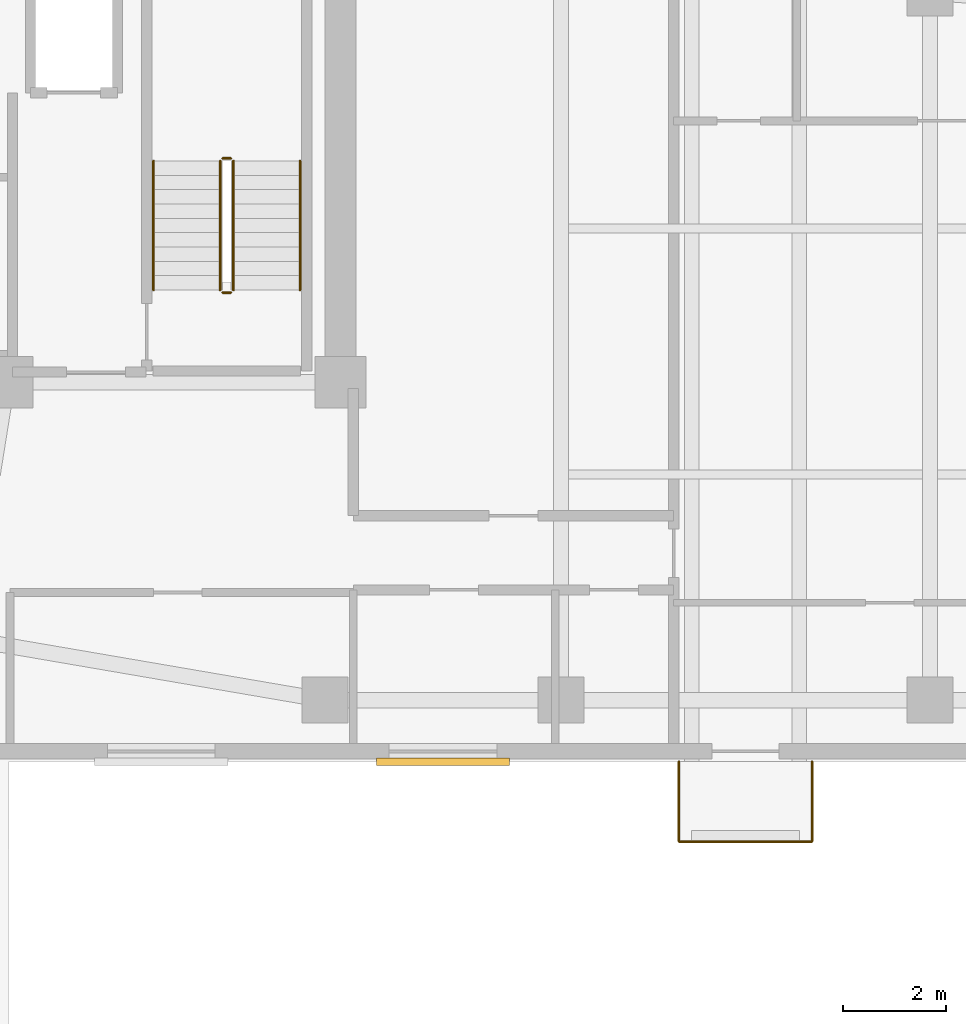
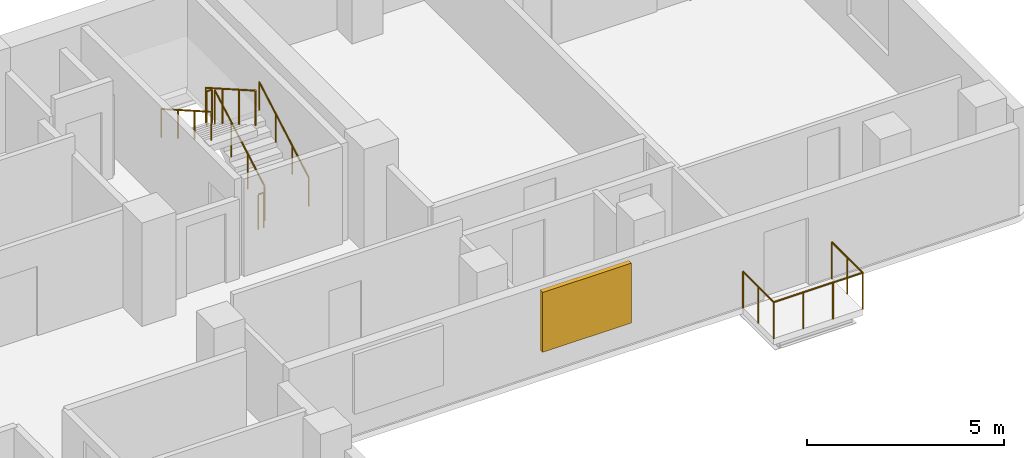
# One storey, part 7 of 7: 9 railings, 1 shading device.
"""IFC4 building model written with IfcOpenShell, lengths in metres."""

from ifc_helpers import new_model, si_unit, direction, frame, origin, origin_2d, place, context, subcontext, project, spatial, rectangle, circle, extrude, material, layer, layer_set, type_object, element, save


model = new_model("IFC4")

# Units and contexts
model_context = context("Model", 3, precision=1e-05, world=origin(), true_north=direction((0.0, 1.0)))
body_context = subcontext(model_context, "Body", "Model", "MODEL_VIEW")
ifc_project = project(units=[si_unit("LENGTHUNIT", "METRE"), si_unit("AREAUNIT", "SQUARE_METRE"), si_unit("VOLUMEUNIT", "CUBIC_METRE"), si_unit("PLANEANGLEUNIT", "RADIAN"), si_unit("MASSUNIT", "GRAM", prefix="KILO")], contexts=[model_context])

# Site, building, storey
site_placement = place(None, origin())
site = spatial("IfcSite", under=ifc_project, at=site_placement, CompositionType="ELEMENT")
building_placement = place(site_placement, origin())
building = spatial("IfcBuilding", under=site, at=building_placement, Name="Kuzgunbayir Cultural Tower", CompositionType="ELEMENT")
storey_placement = place(building_placement, frame((0.0, 0.0, 176.0)))
storey = spatial("IfcBuildingStorey", under=building, at=storey_placement, Name="L51", CompositionType="ELEMENT", Elevation=176.0)

# Railings
ifc_material_1 = material(Name="Laminated Glass and Stainless Steel", Category="steel")
ifc_layer_1 = layer(ifc_material_1, 0.080078125)
ifc_layer_set_1 = layer_set([ifc_layer_1], Name="Laminated Glass and Stainless Steel")
railing_type_1 = type_object("IfcRailingType", Name="RLG-BAL-115", PredefinedType="BALUSTRADE", material=ifc_layer_set_1)
railing_1_placement = place(storey_placement, frame((33.5, 26.39990234375, 0.0)))
element("IfcRailing", 1, at=railing_1_placement, inside=storey, type_object=railing_type_1, Name="L51 Balcony Guard BAL-L51-WB2 Segment 1", PredefinedType="BALUSTRADE", context=body_context, shape_type="SweptSolid", body=[
    extrude(circle(Radius=0.02392578125, at=origin_2d()), frame((0.0, 0.0, 1.1259765625), z_axis=(0.0, -1.0, 0.0), x_axis=(1.0, 0.0, 0.0)), (0.0, 0.0, 1.0), 1.559814453125),
    extrude(circle(Radius=0.02099609375, at=origin_2d()), origin(), (0.0, 0.0, 1.0), 1.101806640625),
    extrude(circle(Radius=0.02099609375, at=origin_2d()), frame((0.0, -0.77978515625, 0.0)), (0.0, 0.0, 1.0), 1.101806640625),
    extrude(circle(Radius=0.02099609375, at=origin_2d()), frame((0.0, -1.559814453125, 0.0)), (0.0, 0.0, 1.0), 1.101806640625),
])
railing_2_placement = place(storey_placement, frame((33.5, 24.840087890625, 0.0)))
element("IfcRailing", 2, at=railing_2_placement, inside=storey, type_object=railing_type_1, Name="L51 Balcony Guard BAL-L51-WB2 Segment 2", PredefinedType="BALUSTRADE", context=body_context, shape_type="SweptSolid", body=[
    extrude(circle(Radius=0.02392578125, at=origin_2d()), frame((0.0, 0.0, 1.1259765625), z_axis=(1.0, 0.0, 0.0), x_axis=(0.0, 1.0, 0.0)), (0.0, 0.0, 1.0), 2.60009765625),
    extrude(circle(Radius=0.02099609375, at=origin_2d()), origin(), (0.0, 0.0, 1.0), 1.101806640625),
    extrude(circle(Radius=0.02099609375, at=origin_2d()), frame((0.86669921875, 0.0, 0.0)), (0.0, 0.0, 1.0), 1.101806640625),
    extrude(circle(Radius=0.02099609375, at=origin_2d()), frame((1.7333984375, 0.0, 0.0)), (0.0, 0.0, 1.0), 1.101806640625),
    extrude(circle(Radius=0.02099609375, at=origin_2d()), frame((2.60009765625, 0.0, 0.0)), (0.0, 0.0, 1.0), 1.101806640625),
])
railing_3_placement = place(storey_placement, frame((36.10009765625, 24.840087890625, 0.0)))
element("IfcRailing", 3, at=railing_3_placement, inside=storey, type_object=railing_type_1, Name="L51 Balcony Guard BAL-L51-WB2 Segment 3", PredefinedType="BALUSTRADE", context=body_context, shape_type="SweptSolid", body=[
    extrude(circle(Radius=0.02392578125, at=origin_2d()), frame((0.0, 0.0, 1.1259765625), z_axis=(0.0, 1.0, 0.0), x_axis=(-1.0, 0.0, 0.0)), (0.0, 0.0, 1.0), 1.559814453125),
    extrude(circle(Radius=0.02099609375, at=origin_2d()), origin(), (0.0, 0.0, 1.0), 1.101806640625),
    extrude(circle(Radius=0.02099609375, at=origin_2d()), frame((0.0, 0.77978515625, 0.0)), (0.0, 0.0, 1.0), 1.101806640625),
    extrude(circle(Radius=0.02099609375, at=origin_2d()), frame((0.0, 1.559814453125, 0.0)), (0.0, 0.0, 1.0), 1.101806640625),
])
ifc_material_2 = material(Name="Brushed Stainless Steel", Category="steel")
ifc_layer_2 = layer(ifc_material_2, 0.050048828125)
ifc_layer_set_2 = layer_set([ifc_layer_2], Name="Brushed Stainless Steel")
railing_type_2 = type_object("IfcRailingType", Name="RLG-STAIR-HANDRAIL", PredefinedType="HANDRAIL", material=ifc_layer_set_2)
railing_4_placement = place(storey_placement, frame((26.110107421875, 35.60009765625, 0.159912109375)))
element("IfcRailing", 4, at=railing_4_placement, inside=storey, type_object=railing_type_2, Name="L51 ST-2 stair handrail 1", PredefinedType="HANDRAIL", context=body_context, shape_type="SweptSolid", body=[
    extrude(circle(Radius=0.02392578125, at=origin_2d()), frame((0.0, 0.0, 0.8759765625), z_axis=(0.0, 0.868217259934, 0.496184229447), x_axis=(-1.0, 0.0, 0.0)), (0.0, 0.0, 1.0), 2.902587890625),
    extrude(circle(Radius=0.02099609375, at=origin_2d()), origin(), (0.0, 0.0, 1.0), 0.851806640625),
    extrude(circle(Radius=0.02099609375, at=origin_2d()), frame((0.0, 0.840087890625, 0.47998046875)), (0.0, 0.0, 1.0), 0.851806640625),
    extrude(circle(Radius=0.02099609375, at=origin_2d()), frame((0.0, 1.679931640625, 0.960205078125)), (0.0, 0.0, 1.0), 0.851806640625),
    extrude(circle(Radius=0.02099609375, at=origin_2d()), frame((0.0, 2.52001953125, 1.440185546875)), (0.0, 0.0, 1.0), 0.851806640625),
])
railing_5_placement = place(storey_placement, frame((23.25, 38.1201171875, 1.760009765625)))
element("IfcRailing", 5, at=railing_5_placement, inside=storey, type_object=railing_type_2, Name="L51 ST-2 stair handrail 2", PredefinedType="HANDRAIL", context=body_context, shape_type="SweptSolid", body=[
    extrude(circle(Radius=0.02392578125, at=origin_2d()), frame((0.0, 0.0, 0.8759765625), z_axis=(0.0, -0.868253494771, 0.496120820787), x_axis=(1.0, 0.0, 0.0)), (0.0, 0.0, 1.0), 2.90234375),
    extrude(circle(Radius=0.02099609375, at=origin_2d()), origin(), (0.0, 0.0, 1.0), 0.851806640625),
    extrude(circle(Radius=0.02099609375, at=origin_2d()), frame((0.0, -0.840087890625, 0.47998046875)), (0.0, 0.0, 1.0), 0.851806640625),
    extrude(circle(Radius=0.02099609375, at=origin_2d()), frame((0.0, -1.679931640625, 0.9599609375)), (0.0, 0.0, 1.0), 0.851806640625),
    extrude(circle(Radius=0.02099609375, at=origin_2d()), frame((0.0, -2.52001953125, 1.43994140625)), (0.0, 0.0, 1.0), 0.851806640625),
])
ifc_material_3 = material(Name="Painted Steel Balustrade", Category="steel")
ifc_layer_3 = layer(ifc_material_3, 0.06005859375)
ifc_layer_set_3 = layer_set([ifc_layer_3], Name="Painted Steel Balustrade")
railing_type_3 = type_object("IfcRailingType", Name="RLG-WELL-GUARD", PredefinedType="GUARDRAIL", material=ifc_layer_set_3)
railing_6_placement = place(storey_placement, frame((24.81005859375, 35.60009765625, 0.159912109375)))
element("IfcRailing", 6, at=railing_6_placement, inside=storey, type_object=railing_type_3, Name="L51 ST-2 stair guard 1", PredefinedType="GUARDRAIL", context=body_context, shape_type="SweptSolid", body=[
    extrude(circle(Radius=0.02392578125, at=origin_2d()), frame((0.0, 0.0, 1.076171875), z_axis=(0.0, 0.868217259934, 0.496184229447), x_axis=(-1.0, 0.0, 0.0)), (0.0, 0.0, 1.0), 2.902587890625),
    extrude(circle(Radius=0.02099609375, at=origin_2d()), origin(), (0.0, 0.0, 1.0), 1.052001953125),
    extrude(circle(Radius=0.02099609375, at=origin_2d()), frame((0.0, 0.840087890625, 0.47998046875)), (0.0, 0.0, 1.0), 1.052001953125),
    extrude(circle(Radius=0.02099609375, at=origin_2d()), frame((0.0, 1.679931640625, 0.960205078125)), (0.0, 0.0, 1.0), 1.052001953125),
    extrude(circle(Radius=0.02099609375, at=origin_2d()), frame((0.0, 2.52001953125, 1.440185546875)), (0.0, 0.0, 1.0), 1.052001953125),
])
railing_7_placement = place(storey_placement, frame((24.760009765625, 38.169921875, 1.60009765625)))
element("IfcRailing", 7, at=railing_7_placement, inside=storey, type_object=railing_type_3, Name="L51 ST-2 stair guard 2", PredefinedType="GUARDRAIL", context=body_context, shape_type="SweptSolid", body=[
    extrude(circle(Radius=0.02392578125, at=origin_2d()), frame((0.0, 0.0, 1.076171875), z_axis=(-1.0, 0.0, 0.0), x_axis=(0.0, -1.0, 0.0)), (0.0, 0.0, 1.0), 0.159912109375),
    extrude(circle(Radius=0.02099609375, at=origin_2d()), origin(), (0.0, 0.0, 1.0), 1.052001953125),
    extrude(circle(Radius=0.02099609375, at=origin_2d()), frame((-0.159912109375, 0.0, 0.0)), (0.0, 0.0, 1.0), 1.052001953125),
])
railing_8_placement = place(storey_placement, frame((24.550048828125, 38.1201171875, 1.760009765625)))
element("IfcRailing", 8, at=railing_8_placement, inside=storey, type_object=railing_type_3, Name="L51 ST-2 stair guard 3", PredefinedType="GUARDRAIL", context=body_context, shape_type="SweptSolid", body=[
    extrude(circle(Radius=0.02392578125, at=origin_2d()), frame((0.0, 0.0, 1.076171875), z_axis=(0.0, -0.868253494771, 0.496120820787), x_axis=(1.0, 0.0, 0.0)), (0.0, 0.0, 1.0), 2.90234375),
    extrude(circle(Radius=0.02099609375, at=origin_2d()), origin(), (0.0, 0.0, 1.0), 1.052001953125),
    extrude(circle(Radius=0.02099609375, at=origin_2d()), frame((0.0, -0.840087890625, 0.47998046875)), (0.0, 0.0, 1.0), 1.052001953125),
    extrude(circle(Radius=0.02099609375, at=origin_2d()), frame((0.0, -1.679931640625, 0.9599609375)), (0.0, 0.0, 1.0), 1.052001953125),
    extrude(circle(Radius=0.02099609375, at=origin_2d()), frame((0.0, -2.52001953125, 1.43994140625)), (0.0, 0.0, 1.0), 1.052001953125),
])
railing_9_placement = place(storey_placement, frame((24.760009765625, 35.550048828125, 0.0)))
element("IfcRailing", 9, at=railing_9_placement, inside=storey, type_object=railing_type_3, Name="L51 ST-2 stair guard 4", PredefinedType="GUARDRAIL", context=body_context, shape_type="SweptSolid", body=[
    extrude(circle(Radius=0.02392578125, at=origin_2d()), frame((0.0, 0.0, 1.076171875), z_axis=(-1.0, 0.0, 0.0), x_axis=(0.0, -1.0, 0.0)), (0.0, 0.0, 1.0), 0.159912109375),
    extrude(circle(Radius=0.02099609375, at=origin_2d()), origin(), (0.0, 0.0, 1.0), 1.052001953125),
    extrude(circle(Radius=0.02099609375, at=origin_2d()), frame((-0.159912109375, 0.0, 0.0)), (0.0, 0.0, 1.0), 1.052001953125),
])

# Shading device
ifc_material_4 = material(Name="Perforated Bronze-Anodised Aluminium", Category="aluminium")
shading_device_type = type_object("IfcShadingDeviceType", Name="SHD-SOLAR-BRONZE", PredefinedType="JALOUSIE", material=ifc_material_4)
shading_device_placement = place(storey_placement, frame((28.89990234375, 26.39990234375, 0.73486328125), z_axis=(0.0, 0.0, 1.0), x_axis=(1.0, 0.0, 0.0)))
element("IfcShadingDevice", 10, at=shading_device_placement, inside=storey, type_object=shading_device_type, Name="L51 Solar Screen WBS13", PredefinedType="JALOUSIE", context=body_context, shape_type="SweptSolid", body=[
    extrude(rectangle(XDim=2.60009765625, YDim=0.139892578125, at=origin_2d()), origin(), (0.0, 0.0, 1.0), 1.85009765625),
])

save(model, "model.ifc")
